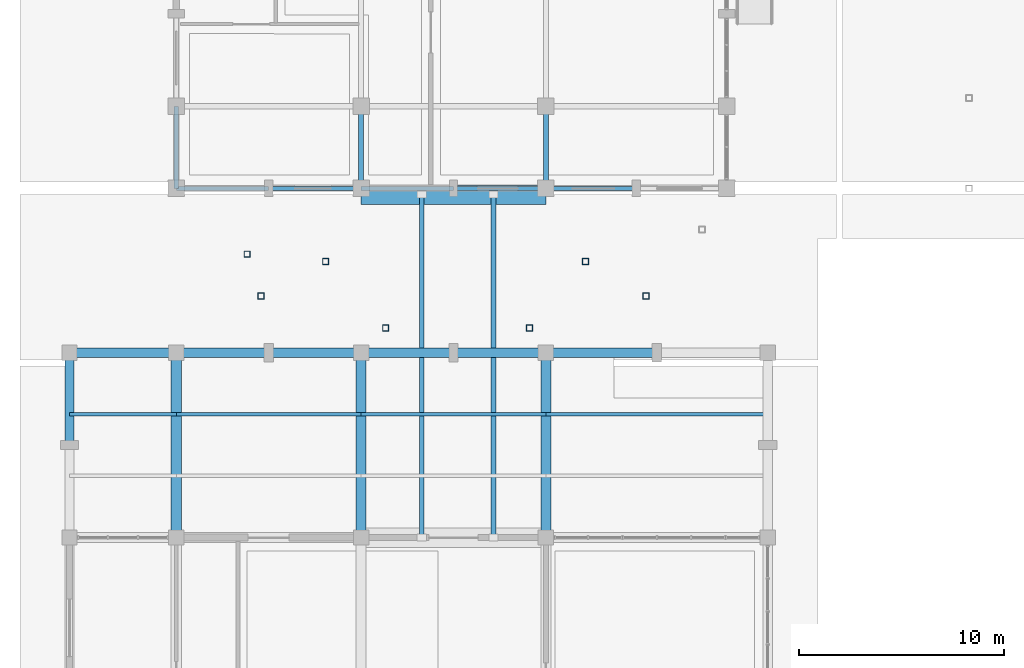
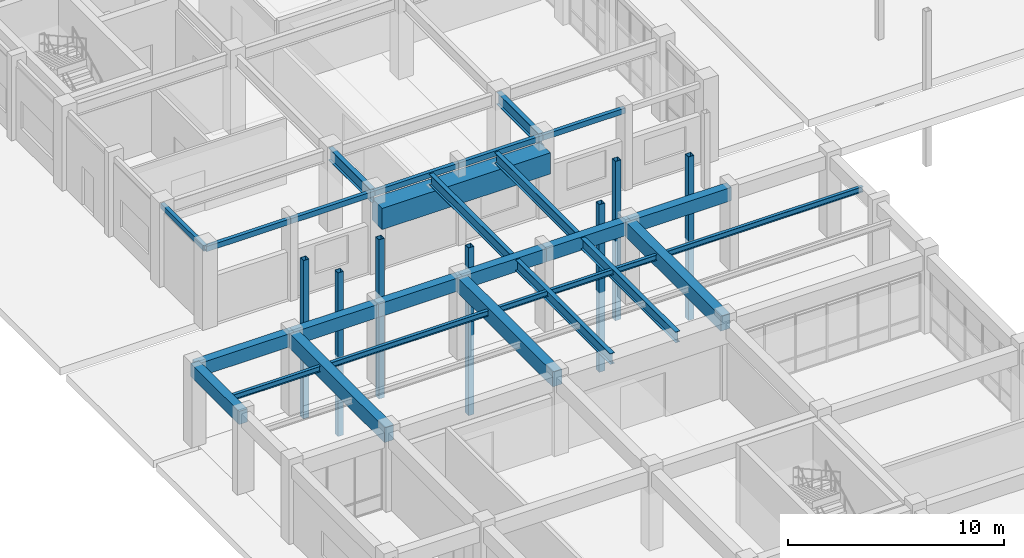
# One storey, part 9 of 47: 21 beams, 11 members.
"""IFC4 building model written with IfcOpenShell, lengths in metres."""

from ifc_helpers import new_model, si_unit, direction, frame, origin, origin_2d, place, context, subcontext, project, spatial, rectangle, hollow_rectangle, i_section, extrude, material, material_profile, profile_set, type_object, element, save


model = new_model("IFC4")

# Units and contexts
model_context = context("Model", 3, precision=1e-05, world=origin(), true_north=direction((0.0, 1.0)))
body_context = subcontext(model_context, "Body", "Model", "MODEL_VIEW")
ifc_project = project(units=[si_unit("LENGTHUNIT", "METRE"), si_unit("AREAUNIT", "SQUARE_METRE"), si_unit("VOLUMEUNIT", "CUBIC_METRE"), si_unit("PLANEANGLEUNIT", "RADIAN"), si_unit("MASSUNIT", "GRAM", prefix="KILO")], contexts=[model_context])

# Site, building, storey
site_placement = place(None, origin())
site = spatial("IfcSite", under=ifc_project, at=site_placement, CompositionType="ELEMENT")
building_placement = place(site_placement, origin())
building = spatial("IfcBuilding", under=site, at=building_placement, Name="Ventoquebrada Cableway Terminal", CompositionType="ELEMENT")
storey_placement = place(building_placement, origin())
storey = spatial("IfcBuildingStorey", under=building, at=storey_placement, Name="L00", CompositionType="ELEMENT", Elevation=0.0)

# Beams
ifc_material_1 = material(Name="Concrete C40/50", Category="concrete")
ifc_material_profile_1 = material_profile(ifc_material_1, rectangle(XDim=0.5, YDim=0.85009765625, at=origin_2d()), Name="RC-BM-500X850")
ifc_profile_set_1 = profile_set([ifc_material_profile_1], Name="Concrete C40/50")
beam_type_1 = type_object("IfcBeamType", Name="BM-RC04", PredefinedType="BEAM", material=ifc_profile_set_1)
for number, where, z_axis, x_axis, name in (
    (1, (8.199951171875, 47.0, 4.10498046875), (0.0, 1.0, 0.0), (-1.0, 0.0, 0.0), "Primary frame girder FBM-0122"),
    (2, (17.199951171875, 47.0, 4.10498046875), (0.0, 1.0, 0.0), (-1.0, 0.0, 0.0), "Primary frame girder FBM-0128"),
    (3, (26.199951171875, 47.0, 4.10498046875), (0.0, 1.0, 0.0), (-1.0, 0.0, 0.0), "Primary frame girder FBM-0134"),
):
    element("IfcBeam", number, at=place(storey_placement, frame(where, z_axis=z_axis, x_axis=x_axis)), inside=storey, type_object=beam_type_1, Name=name, PredefinedType="BEAM", context=body_context, shape_type="SweptSolid", body=[
        extrude(rectangle(XDim=0.5, YDim=0.85009765625, at=origin_2d()), origin(), (0.0, 0.0, 1.0), 9.0),
    ])
ifc_material_profile_2 = material_profile(ifc_material_1, rectangle(XDim=0.949951171875, YDim=1.199951171875, at=origin_2d()), Name="RC-BM-950X1200")
ifc_profile_set_2 = profile_set([ifc_material_profile_2], Name="Concrete C40/50")
beam_type_2 = type_object("IfcBeamType", Name="BM-RC06", PredefinedType="BEAM", material=ifc_profile_set_2)
beam_1_placement = place(storey_placement, frame((17.199951171875, 63.699951171875, 3.2529296875), z_axis=(1.0, 0.0, 0.0), x_axis=(0.0, 1.0, 0.0)))
element("IfcBeam", 4, at=beam_1_placement, inside=storey, type_object=beam_type_2, Name="Seismic joint corbel girder LP-1 FBM-1099", PredefinedType="BEAM", context=body_context, shape_type="SweptSolid", body=[
    extrude(rectangle(XDim=0.949951171875, YDim=1.199951171875, at=origin_2d()), origin(), (0.0, 0.0, 1.0), 9.0),
])
ifc_material_2 = material(Name="Steel ASTM A992 Grade 50", Category="steel")
ifc_material_profile_3 = material_profile(ifc_material_2, i_section(OverallWidth=0.22900390625, OverallDepth=0.612060546875, WebThickness=0.011962890625, FlangeThickness=0.01953125, at=origin_2d()), Name="W24X84")
ifc_profile_set_3 = profile_set([ifc_material_profile_3], Name="Steel ASTM A992 Grade 50")
beam_type_3 = type_object("IfcBeamType", Name="BM-ST02", PredefinedType="BEAM", material=ifc_profile_set_3)
for number, where, z_axis, x_axis, name in (
    (5, (20.14990234375, 47.0, 4.1689453125), (0.0, 1.0, 0.0), (-1.0, 0.0, 0.0), "Link bridge girder LP-1 FBM-1102"),
    (6, (23.64990234375, 47.0, 4.1689453125), (0.0, 1.0, 0.0), (-1.0, 0.0, 0.0), "Link bridge girder LP-1 FBM-1104"),
):
    element("IfcBeam", number, at=place(storey_placement, frame(where, z_axis=z_axis, x_axis=x_axis)), inside=storey, type_object=beam_type_3, Name=name, PredefinedType="BEAM", context=body_context, shape_type="SweptSolid", body=[
        extrude(i_section(OverallWidth=0.22900390625, OverallDepth=0.612060546875, WebThickness=0.011962890625, FlangeThickness=0.01953125, at=origin_2d()), origin(), (0.0, 0.0, 1.0), 16.77490234375),
    ])
ifc_material_profile_4 = material_profile(ifc_material_2, i_section(OverallWidth=0.25390625, OverallDepth=0.68798828125, WebThickness=0.01318359375, FlangeThickness=0.02099609375, at=origin_2d()), Name="W27X102")
ifc_profile_set_4 = profile_set([ifc_material_profile_4], Name="Steel ASTM A992 Grade 50")
beam_type_4 = type_object("IfcBeamType", Name="BM-ST04", PredefinedType="BEAM", material=ifc_profile_set_4)
for number, where, z_axis, x_axis, name in (
    (7, (17.199951171875, 64.0, 4.095947265625), (0.0, 1.0, 0.0), (-1.0, 0.0, 0.0), "Primary frame girder FBM-0354"),
    (8, (26.199951171875, 64.0, 4.095947265625), (0.0, 1.0, 0.0), (-1.0, 0.0, 0.0), "Primary frame girder FBM-0360"),
):
    element("IfcBeam", number, at=place(storey_placement, frame(where, z_axis=z_axis, x_axis=x_axis)), inside=storey, type_object=beam_type_4, Name=name, PredefinedType="BEAM", context=body_context, shape_type="SweptSolid", body=[
        extrude(i_section(OverallWidth=0.25390625, OverallDepth=0.68798828125, WebThickness=0.01318359375, FlangeThickness=0.02099609375, at=origin_2d()), origin(), (0.0, 0.0, 1.0), 4.0),
    ])

# Members
ifc_material_3 = material(Name="Steel ASTM A500 Grade C", Category="steel")
ifc_material_profile_5 = material_profile(ifc_material_3, hollow_rectangle(XDim=0.300048828125, YDim=0.300048828125, WallThickness=0.01611328125, at=origin_2d()), Name="HSS300X300X16")
ifc_profile_set_5 = profile_set([ifc_material_profile_5], Name="Steel ASTM A500 Grade C")
member_type_1 = type_object("IfcMemberType", Name="PST-GS01", PredefinedType="STRUT", material=ifc_profile_set_5)
member_1_placement = place(storey_placement, frame((12.324951171875, 58.760009765625, -4.5), z_axis=(0.0, 0.0, 1.0), x_axis=(1.0, 0.0, 0.0)))
element("IfcMember", 9, at=member_1_placement, inside=storey, type_object=member_type_1, Name="Plaza canopy support post CN-PS-0545", PredefinedType="STRUT", context=body_context, shape_type="SweptSolid", body=[
    extrude(hollow_rectangle(XDim=0.300048828125, YDim=0.300048828125, WallThickness=0.01611328125, at=origin_2d()), origin(), (0.0, 0.0, 1.0), 9.258056640625),
])
member_2_placement = place(storey_placement, frame((18.39990234375, 57.199951171875, -4.5), z_axis=(0.0, 0.0, 1.0), x_axis=(1.0, 0.0, 0.0)))
element("IfcMember", 10, at=member_2_placement, inside=storey, type_object=member_type_1, Name="Plaza canopy support post CN-PS-0546", PredefinedType="STRUT", context=body_context, shape_type="SweptSolid", body=[
    extrude(hollow_rectangle(XDim=0.300048828125, YDim=0.300048828125, WallThickness=0.01611328125, at=origin_2d()), origin(), (0.0, 0.0, 1.0), 9.490966796875),
])
member_3_placement = place(storey_placement, frame((15.47509765625, 60.43994140625, -4.5), z_axis=(0.0, 0.0, 1.0), x_axis=(1.0, 0.0, 0.0)))
element("IfcMember", 11, at=member_3_placement, inside=storey, type_object=member_type_1, Name="Plaza canopy support post CN-PS-0547", PredefinedType="STRUT", context=body_context, shape_type="SweptSolid", body=[
    extrude(hollow_rectangle(XDim=0.300048828125, YDim=0.300048828125, WallThickness=0.01611328125, at=origin_2d()), origin(), (0.0, 0.0, 1.0), 9.007080078125),
])
member_4_placement = place(storey_placement, frame((11.64990234375, 60.800048828125, -4.5), z_axis=(0.0, 0.0, 1.0), x_axis=(1.0, 0.0, 0.0)))
element("IfcMember", 12, at=member_4_placement, inside=storey, type_object=member_type_1, Name="Plaza canopy support post CN-PS-0548", PredefinedType="STRUT", context=body_context, shape_type="SweptSolid", body=[
    extrude(hollow_rectangle(XDim=0.300048828125, YDim=0.300048828125, WallThickness=0.01611328125, at=origin_2d()), origin(), (0.0, 0.0, 1.0), 8.952880859375),
])
member_5_placement = place(storey_placement, frame((25.39990234375, 57.199951171875, -4.5), z_axis=(0.0, 0.0, 1.0), x_axis=(1.0, 0.0, 0.0)))
element("IfcMember", 13, at=member_5_placement, inside=storey, type_object=member_type_1, Name="Plaza canopy support post CN-PS-0549", PredefinedType="STRUT", context=body_context, shape_type="SweptSolid", body=[
    extrude(hollow_rectangle(XDim=0.300048828125, YDim=0.300048828125, WallThickness=0.01611328125, at=origin_2d()), origin(), (0.0, 0.0, 1.0), 9.490966796875),
])
member_6_placement = place(storey_placement, frame((31.070068359375, 58.760009765625, -4.5), z_axis=(0.0, 0.0, 1.0), x_axis=(1.0, 0.0, 0.0)))
element("IfcMember", 14, at=member_6_placement, inside=storey, type_object=member_type_1, Name="Plaza canopy support post CN-PS-0550", PredefinedType="STRUT", context=body_context, shape_type="SweptSolid", body=[
    extrude(hollow_rectangle(XDim=0.300048828125, YDim=0.300048828125, WallThickness=0.01611328125, at=origin_2d()), origin(), (0.0, 0.0, 1.0), 9.258056640625),
])
member_7_placement = place(storey_placement, frame((28.1298828125, 60.43994140625, -4.5), z_axis=(0.0, 0.0, 1.0), x_axis=(1.0, 0.0, 0.0)))
element("IfcMember", 15, at=member_7_placement, inside=storey, type_object=member_type_1, Name="Plaza canopy support post CN-PS-0552", PredefinedType="STRUT", context=body_context, shape_type="SweptSolid", body=[
    extrude(hollow_rectangle(XDim=0.300048828125, YDim=0.300048828125, WallThickness=0.01611328125, at=origin_2d()), origin(), (0.0, 0.0, 1.0), 9.007080078125),
])
ifc_material_profile_6 = material_profile(ifc_material_2, i_section(OverallWidth=0.1650390625, OverallDepth=0.31005859375, WebThickness=0.005859375, FlangeThickness=0.009765625, at=origin_2d()), Name="W12X26")
ifc_profile_set_6 = profile_set([ifc_material_profile_6], Name="Steel ASTM A992 Grade 50")
member_type_2 = type_object("IfcMemberType", Name="PUR-RF05", PredefinedType="PURLIN", material=ifc_profile_set_6)
member_8_placement = place(storey_placement, frame((3.0, 53.0, 4.260009765625), z_axis=(1.0, 0.0, 0.0), x_axis=(0.0, 1.0, 0.0)))
element("IfcMember", 16, at=member_8_placement, inside=storey, type_object=member_type_2, Name="Roof support purlin RPR-0469", PredefinedType="PURLIN", context=body_context, shape_type="SweptSolid", body=[
    extrude(i_section(OverallWidth=0.1650390625, OverallDepth=0.31005859375, WebThickness=0.005859375, FlangeThickness=0.009765625, at=origin_2d()), origin(), (0.0, 0.0, 1.0), 5.199951171875),
])
for number, where, z_axis, x_axis, name in (
    (17, (8.199951171875, 53.0, 4.260009765625), (1.0, 0.0, 0.0), (0.0, 1.0, 0.0), "Roof support purlin RPR-0470"),
    (18, (17.199951171875, 53.0, 4.260009765625), (1.0, 0.0, 0.0), (0.0, 1.0, 0.0), "Roof support purlin RPR-0471"),
):
    element("IfcMember", number, at=place(storey_placement, frame(where, z_axis=z_axis, x_axis=x_axis)), inside=storey, type_object=member_type_2, Name=name, PredefinedType="PURLIN", context=body_context, shape_type="SweptSolid", body=[
        extrude(i_section(OverallWidth=0.1650390625, OverallDepth=0.31005859375, WebThickness=0.005859375, FlangeThickness=0.009765625, at=origin_2d()), origin(), (0.0, 0.0, 1.0), 9.0),
    ])
member_9_placement = place(storey_placement, frame((26.199951171875, 53.0, 4.260009765625), z_axis=(1.0, 0.0, 0.0), x_axis=(0.0, 1.0, 0.0)))
element("IfcMember", 19, at=member_9_placement, inside=storey, type_object=member_type_2, Name="Roof support purlin RPR-0472", PredefinedType="PURLIN", context=body_context, shape_type="SweptSolid", body=[
    extrude(i_section(OverallWidth=0.1650390625, OverallDepth=0.31005859375, WebThickness=0.005859375, FlangeThickness=0.009765625, at=origin_2d()), origin(), (0.0, 0.0, 1.0), 10.800048828125),
])

# Beams
ifc_material_profile_7 = material_profile(ifc_material_1, rectangle(XDim=0.449951171875, YDim=0.75, at=origin_2d()), Name="RC-BM-450X750")
ifc_profile_set_7 = profile_set([ifc_material_profile_7], Name="Concrete C40/50")
beam_type_5 = type_object("IfcBeamType", Name="SP-RC02", PredefinedType="SPANDREL", material=ifc_profile_set_7)
beam_2_placement = place(storey_placement, frame((3.0, 56.0, 4.155029296875), z_axis=(1.0, 0.0, 0.0), x_axis=(0.0, 1.0, 0.0)))
element("IfcBeam", 20, at=beam_2_placement, inside=storey, type_object=beam_type_5, Name="Perimeter spandrel beam FBM-0100", PredefinedType="SPANDREL", context=body_context, shape_type="SweptSolid", body=[
    extrude(rectangle(XDim=0.449951171875, YDim=0.75, at=origin_2d()), origin(), (0.0, 0.0, 1.0), 5.199951171875),
])
for number, where, z_axis, x_axis, name in (
    (21, (8.199951171875, 56.0, 4.155029296875), (1.0, 0.0, 0.0), (0.0, 1.0, 0.0), "Perimeter spandrel beam FBM-0101"),
    (22, (12.699951171875, 56.0, 4.155029296875), (1.0, 0.0, 0.0), (0.0, 1.0, 0.0), "Perimeter spandrel beam FBM-0102"),
    (23, (17.199951171875, 56.0, 4.155029296875), (1.0, 0.0, 0.0), (0.0, 1.0, 0.0), "Perimeter spandrel beam FBM-0103"),
    (24, (21.699951171875, 56.0, 4.155029296875), (1.0, 0.0, 0.0), (0.0, 1.0, 0.0), "Perimeter spandrel beam FBM-0104"),
):
    element("IfcBeam", number, at=place(storey_placement, frame(where, z_axis=z_axis, x_axis=x_axis)), inside=storey, type_object=beam_type_5, Name=name, PredefinedType="SPANDREL", context=body_context, shape_type="SweptSolid", body=[
        extrude(rectangle(XDim=0.449951171875, YDim=0.75, at=origin_2d()), origin(), (0.0, 0.0, 1.0), 4.5),
    ])
beam_3_placement = place(storey_placement, frame((26.199951171875, 56.0, 4.155029296875), z_axis=(1.0, 0.0, 0.0), x_axis=(0.0, 1.0, 0.0)))
element("IfcBeam", 25, at=beam_3_placement, inside=storey, type_object=beam_type_5, Name="Perimeter spandrel beam FBM-0105", PredefinedType="SPANDREL", context=body_context, shape_type="SweptSolid", body=[
    extrude(rectangle(XDim=0.449951171875, YDim=0.75, at=origin_2d()), origin(), (0.0, 0.0, 1.0), 5.400146484375),
])
beam_4_placement = place(storey_placement, frame((3.0, 51.5, 4.155029296875), z_axis=(0.0, 1.0, 0.0), x_axis=(-1.0, 0.0, 0.0)))
element("IfcBeam", 26, at=beam_4_placement, inside=storey, type_object=beam_type_5, Name="Perimeter spandrel beam FBM-0116", PredefinedType="SPANDREL", context=body_context, shape_type="SweptSolid", body=[
    extrude(rectangle(XDim=0.449951171875, YDim=0.75, at=origin_2d()), origin(), (0.0, 0.0, 1.0), 4.5),
])
ifc_material_profile_8 = material_profile(ifc_material_3, hollow_rectangle(XDim=0.199951171875, YDim=0.300048828125, WallThickness=0.012451171875, at=origin_2d()), Name="RHS300X200X12.5")
ifc_profile_set_8 = profile_set([ifc_material_profile_8], Name="Steel ASTM A500 Grade C")
beam_type_6 = type_object("IfcBeamType", Name="SP-ST02", PredefinedType="SPANDREL", material=ifc_profile_set_8)
for number, where, z_axis, x_axis, name in (
    (27, (8.199951171875, 64.0, 4.2900390625), (1.0, 0.0, 0.0), (0.0, 1.0, 0.0), "Perimeter spandrel beam FBM-0316"),
    (28, (12.699951171875, 64.0, 4.2900390625), (1.0, 0.0, 0.0), (0.0, 1.0, 0.0), "Perimeter spandrel beam FBM-0317"),
    (29, (17.199951171875, 64.0, 4.2900390625), (1.0, 0.0, 0.0), (0.0, 1.0, 0.0), "Perimeter spandrel beam FBM-0318"),
    (30, (21.699951171875, 64.0, 4.2900390625), (1.0, 0.0, 0.0), (0.0, 1.0, 0.0), "Perimeter spandrel beam FBM-0319"),
):
    element("IfcBeam", number, at=place(storey_placement, frame(where, z_axis=z_axis, x_axis=x_axis)), inside=storey, type_object=beam_type_6, Name=name, PredefinedType="SPANDREL", context=body_context, shape_type="SweptSolid", body=[
        extrude(hollow_rectangle(XDim=0.199951171875, YDim=0.300048828125, WallThickness=0.012451171875, at=origin_2d()), origin(), (0.0, 0.0, 1.0), 4.5),
    ])
beam_5_placement = place(storey_placement, frame((26.199951171875, 64.0, 4.2900390625), z_axis=(1.0, 0.0, 0.0), x_axis=(0.0, 1.0, 0.0)))
element("IfcBeam", 31, at=beam_5_placement, inside=storey, type_object=beam_type_6, Name="Perimeter spandrel beam FBM-0320", PredefinedType="SPANDREL", context=body_context, shape_type="SweptSolid", body=[
    extrude(hollow_rectangle(XDim=0.199951171875, YDim=0.300048828125, WallThickness=0.012451171875, at=origin_2d()), origin(), (0.0, 0.0, 1.0), 4.400146484375),
])
beam_6_placement = place(storey_placement, frame((8.199951171875, 64.0, 4.2900390625), z_axis=(0.0, 1.0, 0.0), x_axis=(-1.0, 0.0, 0.0)))
element("IfcBeam", 32, at=beam_6_placement, inside=storey, type_object=beam_type_6, Name="Perimeter spandrel beam FBM-0343", PredefinedType="SPANDREL", context=body_context, shape_type="SweptSolid", body=[
    extrude(hollow_rectangle(XDim=0.199951171875, YDim=0.300048828125, WallThickness=0.012451171875, at=origin_2d()), origin(), (0.0, 0.0, 1.0), 4.0),
])

save(model, "model.ifc")
